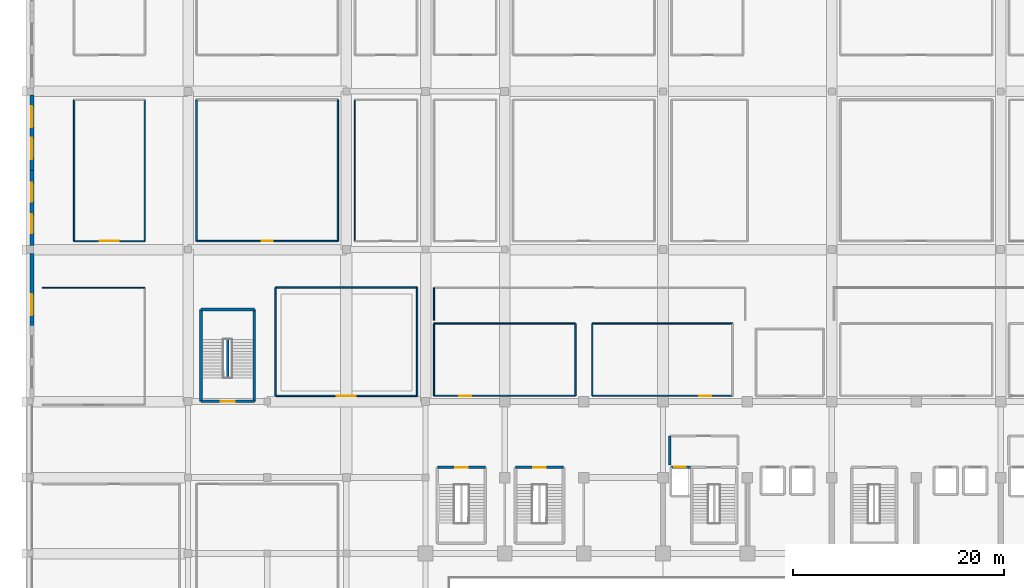
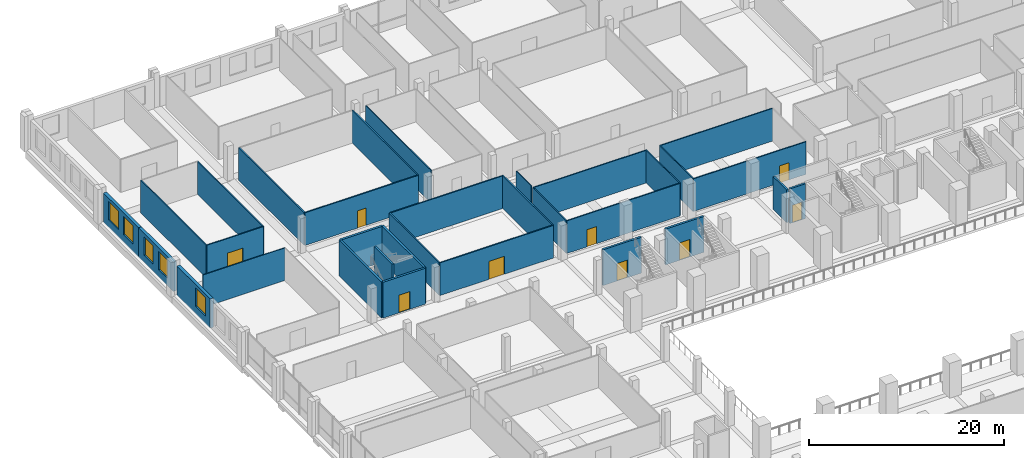
# One storey, part 44 of 64: 32 walls, 9 doors, 5 windows, 14 openings.
"""IFC4 building model written with IfcOpenShell, lengths in metres."""

from ifc_helpers import new_model, si_unit, direction, frame, frame_2d, origin, place, context, subcontext, project, spatial, rectangle, extrude, material, layer, layer_set, type_object, element, fill, save


model = new_model("IFC4")

# Units and contexts
model_context = context("Model", 3, precision=1e-05, world=origin(), true_north=direction((0.0, 1.0)))
body_context = subcontext(model_context, "Body", "Model", "MODEL_VIEW")
ifc_project = project(units=[si_unit("LENGTHUNIT", "METRE"), si_unit("AREAUNIT", "SQUARE_METRE"), si_unit("VOLUMEUNIT", "CUBIC_METRE"), si_unit("PLANEANGLEUNIT", "RADIAN"), si_unit("MASSUNIT", "GRAM", prefix="KILO")], contexts=[model_context])

# Site, building, storey
site_placement = place(None, origin())
site = spatial("IfcSite", under=ifc_project, at=site_placement, CompositionType="ELEMENT")
building_placement = place(site_placement, origin())
building = spatial("IfcBuilding", under=site, at=building_placement, Name="Akrevak Sports Hall", CompositionType="ELEMENT")
storey_placement = place(building_placement, frame((0.0, 0.0, 4.60009765625)))
storey = spatial("IfcBuildingStorey", under=building, at=storey_placement, Name="L01", CompositionType="ELEMENT", Elevation=4.60009765625)

# Wall, opening, window
ifc_material_1 = material(Name="Limestone Ashlar", Category="stone")
ifc_layer_1 = layer(ifc_material_1, 0.080078125, Name="Limestone Ashlar")
ifc_material_2 = material(Name="Mineral Wool Thermal Insulation", Category="insulation")
ifc_layer_2 = layer(ifc_material_2, 0.10009765625, Name="Mineral Wool Thermal Insulation")
ifc_material_3 = material(Name="Concrete C40/50", Category="concrete")
ifc_layer_3 = layer(ifc_material_3, 0.199951171875, Name="Concrete C40/50")
ifc_layer_set_1 = layer_set([ifc_layer_1, ifc_layer_2, ifc_layer_3], Name="Limestone Ashlar / Mineral Wool Thermal Insulation / Concrete C40/50")
wall_type_1 = type_object("IfcWallType", Name="ARC-WL-EXT-380", PredefinedType="SOLIDWALL", material=ifc_layer_set_1)
wall_1_placement = place(storey_placement, frame((0.18994140625, 83.625, 0.0), z_axis=(0.0, 0.0, 1.0), x_axis=(0.0, -1.0, 0.0)))
wall_1 = element("IfcWall", 1, at=wall_1_placement, inside=storey, type_object=wall_type_1, Name="Exterior Limestone Wall L01-W10", PredefinedType="SOLIDWALL", context=body_context, shape_type="SweptSolid", body=[
    extrude(rectangle(XDim=6.824951171875, YDim=0.3798828125, at=frame_2d((3.41259765625, 0.0))), origin(), (0.0, 0.0, 1.0), 3.64990234375),
])
opening_1_placement = place(wall_1_placement, frame((3.845703125, 0.0, 0.919921875)))
opening_1 = element("IfcOpeningElement", 2, at=opening_1_placement, cuts=wall_1, Name="Opening WN-29", PredefinedType="OPENING", context=body_context, shape_type="SweptSolid", body=[
    extrude(rectangle(XDim=2.0, YDim=2.300048828125, at=frame_2d((1.0, 1.14990234375))), frame((0.0, 0.201904296875, 0.0), z_axis=(0.0, -1.0, 0.0), x_axis=(1.0, 0.0, 0.0)), (0.0, 0.0, 1.0), 0.40380859375),
])
ifc_material_4 = material(Name="Thermally Broken Bronze Frame & Double Low-E Glass", Category="glass")
window_type_1 = type_object("IfcWindowType", Name="ARC-WIN-SZ-2000x2300", PartitioningType="SINGLE_PANEL", PredefinedType="WINDOW", material=ifc_material_4)
window_1_placement = place(opening_1_placement, origin())
window_1 = element("IfcWindow", 3, at=window_1_placement, inside=storey, type_object=window_type_1, Name="Beaux-Arts Facade Window WIN-L01-W10-1", OverallHeight=2.300048828125, OverallWidth=2.0, PartitioningType="SINGLE_PANEL", PredefinedType="WINDOW", context=body_context, shape_type="SweptSolid", body=[
    extrude(rectangle(XDim=2.0, YDim=2.300048828125, at=frame_2d((1.0, 1.14990234375))), frame((0.0, 0.030029296875, 0.0), z_axis=(0.0, -1.0, 0.0), x_axis=(1.0, 0.0, 0.0)), (0.0, 0.0, 1.0), 0.06005859375),
])
fill(opening_1, window_1)

# Wall, openings, windows
wall_2_placement = place(storey_placement, frame((0.18994140625, 91.5, 0.0), z_axis=(0.0, 0.0, 1.0), x_axis=(0.0, -1.0, 0.0)))
wall_2 = element("IfcWall", 4, at=wall_2_placement, inside=storey, type_object=wall_type_1, Name="Exterior Limestone Wall L01-W11", PredefinedType="SOLIDWALL", context=body_context, shape_type="SweptSolid", body=[
    extrude(rectangle(XDim=7.125, YDim=0.3798828125, at=frame_2d((3.5625, 0.0))), origin(), (0.0, 0.0, 1.0), 3.64990234375),
])
opening_2_placement = place(wall_2_placement, frame((4.15869140625, 0.0, 0.919921875)))
opening_2 = element("IfcOpeningElement", 5, at=opening_2_placement, cuts=wall_2, Name="Opening WN-31", PredefinedType="OPENING", context=body_context, shape_type="SweptSolid", body=[
    extrude(rectangle(XDim=1.800048828125, YDim=2.300048828125, at=frame_2d((0.89990234375, 1.14990234375))), frame((0.0, 0.201904296875, 0.0), z_axis=(0.0, -1.0, 0.0), x_axis=(1.0, 0.0, 0.0)), (0.0, 0.0, 1.0), 0.40380859375),
])
opening_3_placement = place(wall_2_placement, frame((1.166259765625, 0.0, 0.919921875)))
opening_3 = element("IfcOpeningElement", 6, at=opening_3_placement, cuts=wall_2, Name="Opening WN-31", PredefinedType="OPENING", context=body_context, shape_type="SweptSolid", body=[
    extrude(rectangle(XDim=1.800048828125, YDim=2.300048828125, at=frame_2d((0.89990234375, 1.14990234375))), frame((0.0, 0.201904296875, 0.0), z_axis=(0.0, -1.0, 0.0), x_axis=(1.0, 0.0, 0.0)), (0.0, 0.0, 1.0), 0.40380859375),
])
window_type_2 = type_object("IfcWindowType", Name="ARC-WIN-SZ-1800x2300", PartitioningType="SINGLE_PANEL", PredefinedType="WINDOW", material=ifc_material_4)
window_2_placement = place(opening_2_placement, origin())
window_2 = element("IfcWindow", 7, at=window_2_placement, inside=storey, type_object=window_type_2, Name="Beaux-Arts Facade Window WIN-L01-W11-1", OverallHeight=2.300048828125, OverallWidth=1.800048828125, PartitioningType="SINGLE_PANEL", PredefinedType="WINDOW", context=body_context, shape_type="SweptSolid", body=[
    extrude(rectangle(XDim=1.800048828125, YDim=2.300048828125, at=frame_2d((0.89990234375, 1.14990234375))), frame((0.0, 0.030029296875, 0.0), z_axis=(0.0, -1.0, 0.0), x_axis=(1.0, 0.0, 0.0)), (0.0, 0.0, 1.0), 0.06005859375),
])
fill(opening_2, window_2)
window_3_placement = place(opening_3_placement, origin())
window_3 = element("IfcWindow", 8, at=window_3_placement, inside=storey, type_object=window_type_2, Name="Beaux-Arts Facade Window WIN-L01-W11-2", OverallHeight=2.300048828125, OverallWidth=1.800048828125, PartitioningType="SINGLE_PANEL", PredefinedType="WINDOW", context=body_context, shape_type="SweptSolid", body=[
    extrude(rectangle(XDim=1.800048828125, YDim=2.300048828125, at=frame_2d((0.89990234375, 1.14990234375))), frame((0.0, 0.030029296875, 0.0), z_axis=(0.0, -1.0, 0.0), x_axis=(1.0, 0.0, 0.0)), (0.0, 0.0, 1.0), 0.06005859375),
])
fill(opening_3, window_3)

wall_3_placement = place(storey_placement, frame((0.18994140625, 98.675048828125, 0.0), z_axis=(0.0, 0.0, 1.0), x_axis=(0.0, -1.0, 0.0)))
wall_3 = element("IfcWall", 9, at=wall_3_placement, inside=storey, type_object=wall_type_1, Name="Exterior Limestone Wall L01-W12", PredefinedType="SOLIDWALL", context=body_context, shape_type="SweptSolid", body=[
    extrude(rectangle(XDim=7.175048828125, YDim=0.3798828125, at=frame_2d((3.58740234375, 0.0))), origin(), (0.0, 0.0, 1.0), 3.64990234375),
])
opening_4_placement = place(wall_3_placement, frame((4.09423828125, 0.0, 0.919921875)))
opening_4 = element("IfcOpeningElement", 10, at=opening_4_placement, cuts=wall_3, Name="Opening WN-29", PredefinedType="OPENING", context=body_context, shape_type="SweptSolid", body=[
    extrude(rectangle(XDim=2.0, YDim=2.300048828125, at=frame_2d((1.0, 1.14990234375))), frame((0.0, 0.201904296875, 0.0), z_axis=(0.0, -1.0, 0.0), x_axis=(1.0, 0.0, 0.0)), (0.0, 0.0, 1.0), 0.40380859375),
])
opening_5_placement = place(wall_3_placement, frame((1.080810546875, 0.0, 0.919921875)))
opening_5 = element("IfcOpeningElement", 11, at=opening_5_placement, cuts=wall_3, Name="Opening WN-29", PredefinedType="OPENING", context=body_context, shape_type="SweptSolid", body=[
    extrude(rectangle(XDim=2.0, YDim=2.300048828125, at=frame_2d((1.0, 1.14990234375))), frame((0.0, 0.201904296875, 0.0), z_axis=(0.0, -1.0, 0.0), x_axis=(1.0, 0.0, 0.0)), (0.0, 0.0, 1.0), 0.40380859375),
])
window_4_placement = place(opening_4_placement, origin())
window_4 = element("IfcWindow", 12, at=window_4_placement, inside=storey, type_object=window_type_1, Name="Beaux-Arts Facade Window WIN-L01-W12-1", OverallHeight=2.300048828125, OverallWidth=2.0, PartitioningType="SINGLE_PANEL", PredefinedType="WINDOW", context=body_context, shape_type="SweptSolid", body=[
    extrude(rectangle(XDim=2.0, YDim=2.300048828125, at=frame_2d((1.0, 1.14990234375))), frame((0.0, 0.030029296875, 0.0), z_axis=(0.0, -1.0, 0.0), x_axis=(1.0, 0.0, 0.0)), (0.0, 0.0, 1.0), 0.06005859375),
])
fill(opening_4, window_4)
window_5_placement = place(opening_5_placement, origin())
window_5 = element("IfcWindow", 13, at=window_5_placement, inside=storey, type_object=window_type_1, Name="Beaux-Arts Facade Window WIN-L01-W12-2", OverallHeight=2.300048828125, OverallWidth=2.0, PartitioningType="SINGLE_PANEL", PredefinedType="WINDOW", context=body_context, shape_type="SweptSolid", body=[
    extrude(rectangle(XDim=2.0, YDim=2.300048828125, at=frame_2d((1.0, 1.14990234375))), frame((0.0, 0.030029296875, 0.0), z_axis=(0.0, -1.0, 0.0), x_axis=(1.0, 0.0, 0.0)), (0.0, 0.0, 1.0), 0.06005859375),
])
fill(opening_5, window_5)

# Walls
ifc_material_5 = material(Name="Sanitary Cubicle Partition", Category="gypsum")
ifc_layer_4 = layer(ifc_material_5, 0.10009765625, Name="Sanitary Cubicle Partition")
ifc_layer_set_2 = layer_set([ifc_layer_4], Name="Sanitary Cubicle Partition")
wall_type_2 = type_object("IfcWallType", Name="ARC-WL-PRT-100", PredefinedType="PARTITIONING", material=ifc_layer_set_2)
wall_4_placement = place(storey_placement, frame((30.800048828125, 84.800048828125, 0.0), z_axis=(0.0, 0.0, 1.0), x_axis=(0.0, 1.0, 0.0)))
element("IfcWall", 14, at=wall_4_placement, inside=storey, type_object=wall_type_2, Name="Interior Partition Sports Clinic Recovery & Physiotherapy Room L01-3 (W)", PredefinedType="PARTITIONING", context=body_context, shape_type="SweptSolid", body=[
    extrude(rectangle(XDim=13.39990234375, YDim=0.10009765625, at=frame_2d((6.699951171875, 0.0))), origin(), (0.0, 0.0, 1.0), 4.079833984375),
])
wall_5_placement = place(storey_placement, frame((1.199951171875, 80.39990234375, 0.0), z_axis=(0.0, 0.0, 1.0), x_axis=(1.0, 0.0, 0.0)))
element("IfcWall", 15, at=wall_5_placement, inside=storey, type_object=wall_type_2, Name="Interior Partition North-West Team Kit Storage L01 (N)", PredefinedType="PARTITIONING", context=body_context, shape_type="SweptSolid", body=[
    extrude(rectangle(XDim=9.699951171875, YDim=0.10009765625, at=frame_2d((4.85009765625, 0.0))), origin(), (0.0, 0.0, 1.0), 4.079833984375),
])
wall_6_placement = place(storey_placement, frame((38.300048828125, 77.300048828125, 0.0), z_axis=(0.0, 0.0, 1.0), x_axis=(0.0, 1.0, 0.0)))
element("IfcWall", 16, at=wall_6_placement, inside=storey, type_object=wall_type_2, Name="Interior Partition North Concourse Equipment Storage L01 (W)", PredefinedType="PARTITIONING", context=body_context, shape_type="SweptSolid", body=[
    extrude(rectangle(XDim=3.099853515625, YDim=0.10009765625, at=frame_2d((1.5498046875, 0.0))), origin(), (0.0, 0.0, 1.0), 4.079833984375),
])

# Wall, opening, door
ifc_material_6 = material(Name="Acoustic Metal Stud Partition", Category="gypsum")
ifc_layer_5 = layer(ifc_material_6, 0.1298828125, Name="Acoustic Metal Stud Partition")
ifc_layer_set_3 = layer_set([ifc_layer_5], Name="Acoustic Metal Stud Partition")
wall_type_3 = type_object("IfcWallType", Name="ARC-WL-PRT-130", PredefinedType="PARTITIONING", material=ifc_layer_set_3)
wall_7_placement = place(storey_placement, frame((53.300048828125, 70.14990234375, 0.0), z_axis=(0.0, 0.0, 1.0), x_axis=(1.0, 0.0, 0.0)))
wall_7 = element("IfcWall", 17, at=wall_7_placement, inside=storey, type_object=wall_type_3, Name="Interior Partition Changing Room 7 - Fitness Men (S)", PredefinedType="PARTITIONING", context=body_context, shape_type="SweptSolid", body=[
    extrude(rectangle(XDim=13.300048828125, YDim=0.1298828125, at=frame_2d((6.64990234375, 0.0))), origin(), (0.0, 0.0, 1.0), 4.079833984375),
])
opening_6_placement = place(wall_7_placement, frame((10.125, 0.0, 0.0)))
opening_6 = element("IfcOpeningElement", 18, at=opening_6_placement, cuts=wall_7, Name="Opening ID-07", PredefinedType="OPENING", context=body_context, shape_type="SweptSolid", body=[
    extrude(rectangle(XDim=1.14990234375, YDim=2.14990234375, at=frame_2d((0.574951171875, 1.074951171875))), frame((0.0, 0.076904296875, 0.0), z_axis=(0.0, -1.0, 0.0), x_axis=(1.0, 0.0, 0.0)), (0.0, 0.0, 1.0), 0.15380859375),
])
ifc_material_7 = material(Name="High-Pressure Laminate & Aluminium", Category="aluminium")
door_type_1 = type_object("IfcDoorType", Name="ARC-DR-CHG-115x215", OperationType="NOTDEFINED", PredefinedType="DOOR", material=ifc_material_7)
door_1_placement = place(opening_6_placement, origin())
door_1 = element("IfcDoor", 19, at=door_1_placement, inside=storey, type_object=door_type_1, Name="Door to Changing Room 7 - Fitness Men", OperationType="SINGLE_SWING_LEFT", OverallHeight=2.14990234375, OverallWidth=1.14990234375, PredefinedType="DOOR", context=body_context, shape_type="SweptSolid", body=[
    extrude(rectangle(XDim=1.14990234375, YDim=2.14990234375, at=frame_2d((0.574951171875, 1.074951171875))), frame((0.0, 0.02490234375, 0.0), z_axis=(0.0, -1.0, 0.0), x_axis=(1.0, 0.0, 0.0)), (0.0, 0.0, 1.0), 0.050048828125),
])
fill(opening_6, door_1)

# Walls
wall_8_placement = place(storey_placement, frame((53.300048828125, 77.0, 0.0), z_axis=(0.0, 0.0, 1.0), x_axis=(1.0, 0.0, 0.0)))
element("IfcWall", 20, at=wall_8_placement, inside=storey, type_object=wall_type_3, Name="Interior Partition Changing Room 7 - Fitness Men (N)", PredefinedType="PARTITIONING", context=body_context, shape_type="SweptSolid", body=[
    extrude(rectangle(XDim=13.300048828125, YDim=0.1298828125, at=frame_2d((6.64990234375, 0.0))), origin(), (0.0, 0.0, 1.0), 4.079833984375),
])
wall_9_placement = place(storey_placement, frame((53.300048828125, 70.14990234375, 0.0), z_axis=(0.0, 0.0, 1.0), x_axis=(0.0, 1.0, 0.0)))
element("IfcWall", 21, at=wall_9_placement, inside=storey, type_object=wall_type_3, Name="Interior Partition Changing Room 7 - Fitness Men (W)", PredefinedType="PARTITIONING", context=body_context, shape_type="SweptSolid", body=[
    extrude(rectangle(XDim=6.85009765625, YDim=0.1298828125, at=frame_2d((3.425048828125, 0.0))), origin(), (0.0, 0.0, 1.0), 4.079833984375),
])

# Wall, opening, door
wall_10_placement = place(storey_placement, frame((4.199951171875, 84.800048828125, 0.0), z_axis=(0.0, 0.0, 1.0), x_axis=(1.0, 0.0, 0.0)))
wall_10 = element("IfcWall", 22, at=wall_10_placement, inside=storey, type_object=wall_type_3, Name="Interior Partition Athletic Gear & Equipment Storage L01-1 (S)", PredefinedType="PARTITIONING", context=body_context, shape_type="SweptSolid", body=[
    extrude(rectangle(XDim=6.699951171875, YDim=0.1298828125, at=frame_2d((3.35009765625, 0.0))), origin(), (0.0, 0.0, 1.0), 4.079833984375),
])
opening_7_placement = place(wall_10_placement, frame((2.449951171875, 0.0, 0.0)))
opening_7 = element("IfcOpeningElement", 23, at=opening_7_placement, cuts=wall_10, Name="Opening ID-02", PredefinedType="OPENING", context=body_context, shape_type="SweptSolid", body=[
    extrude(rectangle(XDim=1.800048828125, YDim=2.25, at=frame_2d((0.89990234375, 1.125))), frame((0.0, 0.076904296875, 0.0), z_axis=(0.0, -1.0, 0.0), x_axis=(1.0, 0.0, 0.0)), (0.0, 0.0, 1.0), 0.15380859375),
])
ifc_material_8 = material(Name="Hardwood Oak & Safety Glass", Category="wood")
door_type_2 = type_object("IfcDoorType", Name="ARC-DR-HALL-180x225", OperationType="DOUBLE_DOOR_SINGLE_SWING", PredefinedType="DOOR", material=ifc_material_8)
door_2_placement = place(opening_7_placement, origin())
door_2 = element("IfcDoor", 24, at=door_2_placement, inside=storey, type_object=door_type_2, Name="Door to Athletic Gear & Equipment Storage L01-1", OperationType="DOUBLE_DOOR_SINGLE_SWING", OverallHeight=2.25, OverallWidth=1.800048828125, PredefinedType="DOOR", context=body_context, shape_type="SweptSolid", body=[
    extrude(rectangle(XDim=1.800048828125, YDim=2.25, at=frame_2d((0.89990234375, 1.125))), frame((0.0, 0.02490234375, 0.0), z_axis=(0.0, -1.0, 0.0), x_axis=(1.0, 0.0, 0.0)), (0.0, 0.0, 1.0), 0.050048828125),
])
fill(opening_7, door_2)

# Walls
for number, where, z_axis, x_axis, name in (
    (25, (4.199951171875, 84.800048828125, 0.0), (0.0, 0.0, 1.0), (0.0, 1.0, 0.0), "Interior Partition Athletic Gear & Equipment Storage L01-1 (W)"),
    (26, (10.89990234375, 84.800048828125, 0.0), (0.0, 0.0, 1.0), (0.0, 1.0, 0.0), "Interior Partition Athletic Gear & Equipment Storage L01-1 (E)"),
):
    element("IfcWall", number, at=place(storey_placement, frame(where, z_axis=z_axis, x_axis=x_axis)), inside=storey, type_object=wall_type_3, Name=name, PredefinedType="PARTITIONING", context=body_context, shape_type="SweptSolid", body=[
        extrude(rectangle(XDim=13.39990234375, YDim=0.1298828125, at=frame_2d((6.699951171875, 0.0))), origin(), (0.0, 0.0, 1.0), 4.079833984375),
    ])

# Wall, opening, door
wall_11_placement = place(storey_placement, frame((38.300048828125, 70.14990234375, 0.0), z_axis=(0.0, 0.0, 1.0), x_axis=(1.0, 0.0, 0.0)))
wall_11 = element("IfcWall", 27, at=wall_11_placement, inside=storey, type_object=wall_type_3, Name="Interior Partition Changing Room 7B - Visiting Fitness Club (S)", PredefinedType="PARTITIONING", context=body_context, shape_type="SweptSolid", body=[
    extrude(rectangle(XDim=13.39990234375, YDim=0.1298828125, at=frame_2d((6.699951171875, 0.0))), origin(), (0.0, 0.0, 1.0), 4.079833984375),
])
opening_8_placement = place(wall_11_placement, frame((2.375, 0.0, 0.0)))
opening_8 = element("IfcOpeningElement", 28, at=opening_8_placement, cuts=wall_11, Name="Opening ID-07", PredefinedType="OPENING", context=body_context, shape_type="SweptSolid", body=[
    extrude(rectangle(XDim=1.14990234375, YDim=2.14990234375, at=frame_2d((0.574951171875, 1.074951171875))), frame((0.0, 0.076904296875, 0.0), z_axis=(0.0, -1.0, 0.0), x_axis=(1.0, 0.0, 0.0)), (0.0, 0.0, 1.0), 0.15380859375),
])
door_3_placement = place(opening_8_placement, origin())
door_3 = element("IfcDoor", 29, at=door_3_placement, inside=storey, type_object=door_type_1, Name="Door to Changing Room 7B - Visiting Fitness Club", OperationType="SINGLE_SWING_LEFT", OverallHeight=2.14990234375, OverallWidth=1.14990234375, PredefinedType="DOOR", context=body_context, shape_type="SweptSolid", body=[
    extrude(rectangle(XDim=1.14990234375, YDim=2.14990234375, at=frame_2d((0.574951171875, 1.074951171875))), frame((0.0, 0.02490234375, 0.0), z_axis=(0.0, -1.0, 0.0), x_axis=(1.0, 0.0, 0.0)), (0.0, 0.0, 1.0), 0.050048828125),
])
fill(opening_8, door_3)

# Walls
wall_12_placement = place(storey_placement, frame((38.300048828125, 77.0, 0.0), z_axis=(0.0, 0.0, 1.0), x_axis=(1.0, 0.0, 0.0)))
element("IfcWall", 30, at=wall_12_placement, inside=storey, type_object=wall_type_3, Name="Interior Partition Changing Room 7B - Visiting Fitness Club (N)", PredefinedType="PARTITIONING", context=body_context, shape_type="SweptSolid", body=[
    extrude(rectangle(XDim=13.39990234375, YDim=0.1298828125, at=frame_2d((6.699951171875, 0.0))), origin(), (0.0, 0.0, 1.0), 4.079833984375),
])
for number, where, z_axis, x_axis, name in (
    (31, (38.300048828125, 70.14990234375, 0.0), (0.0, 0.0, 1.0), (0.0, 1.0, 0.0), "Interior Partition Changing Room 7B - Visiting Fitness Club (W)"),
    (32, (51.699951171875, 70.14990234375, 0.0), (0.0, 0.0, 1.0), (0.0, 1.0, 0.0), "Interior Partition Changing Room 7B - Visiting Fitness Club (E)"),
):
    element("IfcWall", number, at=place(storey_placement, frame(where, z_axis=z_axis, x_axis=x_axis)), inside=storey, type_object=wall_type_3, Name=name, PredefinedType="PARTITIONING", context=body_context, shape_type="SweptSolid", body=[
        extrude(rectangle(XDim=6.85009765625, YDim=0.1298828125, at=frame_2d((3.425048828125, 0.0))), origin(), (0.0, 0.0, 1.0), 4.079833984375),
    ])

# Wall, opening, door
ifc_material_9 = material(Name="Double Stud Acoustic Gypsum Partition", Category="gypsum")
ifc_layer_6 = layer(ifc_material_9, 0.14990234375, Name="Double Stud Acoustic Gypsum Partition")
ifc_layer_set_4 = layer_set([ifc_layer_6], Name="Double Stud Acoustic Gypsum Partition")
wall_type_4 = type_object("IfcWallType", Name="ARC-WL-PRT-150", PredefinedType="PARTITIONING", material=ifc_layer_set_4)
wall_13_placement = place(storey_placement, frame((23.300048828125, 70.14990234375, 0.0), z_axis=(0.0, 0.0, 1.0), x_axis=(1.0, 0.0, 0.0)))
wall_13 = element("IfcWall", 33, at=wall_13_placement, inside=storey, type_object=wall_type_4, Name="Interior Partition Dance Studio 1 - Classical & Choreography (S)", PredefinedType="PARTITIONING", context=body_context, shape_type="SweptSolid", body=[
    extrude(rectangle(XDim=13.39990234375, YDim=0.14990234375, at=frame_2d((6.699951171875, 0.0))), origin(), (0.0, 0.0, 1.0), 4.079833984375),
])
opening_9_placement = place(wall_13_placement, frame((5.800048828125, 0.0, 0.0)))
opening_9 = element("IfcOpeningElement", 34, at=opening_9_placement, cuts=wall_13, Name="Opening ID-02", PredefinedType="OPENING", context=body_context, shape_type="SweptSolid", body=[
    extrude(rectangle(XDim=1.800048828125, YDim=2.25, at=frame_2d((0.89990234375, 1.125))), frame((0.0, 0.0869140625, 0.0), z_axis=(0.0, -1.0, 0.0), x_axis=(1.0, 0.0, 0.0)), (0.0, 0.0, 1.0), 0.173828125),
])
door_4_placement = place(opening_9_placement, frame((1.800048828125, 0.0, 0.0), z_axis=(0.0, 0.0, 1.0), x_axis=(-1.0, 0.0, 0.0)))
door_4 = element("IfcDoor", 35, at=door_4_placement, inside=storey, type_object=door_type_2, Name="Door to Dance Studio 1 - Classical & Choreography", OperationType="DOUBLE_DOOR_SINGLE_SWING", OverallHeight=2.25, OverallWidth=1.800048828125, PredefinedType="DOOR", context=body_context, shape_type="SweptSolid", body=[
    extrude(rectangle(XDim=1.800048828125, YDim=2.25, at=frame_2d((0.89990234375, 1.125))), frame((0.0, 0.02490234375, 0.0), z_axis=(0.0, -1.0, 0.0), x_axis=(1.0, 0.0, 0.0)), (0.0, 0.0, 1.0), 0.050048828125),
])
fill(opening_9, door_4)

# Walls
wall_14_placement = place(storey_placement, frame((23.300048828125, 80.39990234375, 0.0), z_axis=(0.0, 0.0, 1.0), x_axis=(1.0, 0.0, 0.0)))
element("IfcWall", 36, at=wall_14_placement, inside=storey, type_object=wall_type_4, Name="Interior Partition Dance Studio 1 - Classical & Choreography (N)", PredefinedType="PARTITIONING", context=body_context, shape_type="SweptSolid", body=[
    extrude(rectangle(XDim=13.39990234375, YDim=0.14990234375, at=frame_2d((6.699951171875, 0.0))), origin(), (0.0, 0.0, 1.0), 4.079833984375),
])
for number, where, z_axis, x_axis, name in (
    (37, (23.300048828125, 70.14990234375, 0.0), (0.0, 0.0, 1.0), (0.0, 1.0, 0.0), "Interior Partition Dance Studio 1 - Classical & Choreography (W)"),
    (38, (36.699951171875, 70.14990234375, 0.0), (0.0, 0.0, 1.0), (0.0, 1.0, 0.0), "Interior Partition Dance Studio 1 - Classical & Choreography (E)"),
):
    element("IfcWall", number, at=place(storey_placement, frame(where, z_axis=z_axis, x_axis=x_axis)), inside=storey, type_object=wall_type_4, Name=name, PredefinedType="PARTITIONING", context=body_context, shape_type="SweptSolid", body=[
        extrude(rectangle(XDim=10.25, YDim=0.14990234375, at=frame_2d((5.125, 0.0))), origin(), (0.0, 0.0, 1.0), 4.079833984375),
    ])

# Wall, opening, door
wall_15_placement = place(storey_placement, frame((15.800048828125, 84.800048828125, 0.0), z_axis=(0.0, 0.0, 1.0), x_axis=(1.0, 0.0, 0.0)))
wall_15 = element("IfcWall", 39, at=wall_15_placement, inside=storey, type_object=wall_type_4, Name="Interior Partition Sports Federation Training Office L01-2 (S)", PredefinedType="PARTITIONING", context=body_context, shape_type="SweptSolid", body=[
    extrude(rectangle(XDim=13.39990234375, YDim=0.14990234375, at=frame_2d((6.699951171875, 0.0))), origin(), (0.0, 0.0, 1.0), 4.079833984375),
])
opening_10_placement = place(wall_15_placement, frame((6.199951171875, 0.0, 0.0)))
opening_10 = element("IfcOpeningElement", 40, at=opening_10_placement, cuts=wall_15, Name="Opening ID-06", PredefinedType="OPENING", context=body_context, shape_type="SweptSolid", body=[
    extrude(rectangle(XDim=1.0, YDim=2.14990234375, at=frame_2d((0.5, 1.074951171875))), frame((0.0, 0.0869140625, 0.0), z_axis=(0.0, -1.0, 0.0), x_axis=(1.0, 0.0, 0.0)), (0.0, 0.0, 1.0), 0.173828125),
])
ifc_material_10 = material(Name="Hardwood Oak Acoustic Leaf", Category="wood")
door_type_3 = type_object("IfcDoorType", Name="ARC-DR-OFF-100x215", OperationType="NOTDEFINED", PredefinedType="DOOR", material=ifc_material_10)
door_5_placement = place(opening_10_placement, origin())
door_5 = element("IfcDoor", 41, at=door_5_placement, inside=storey, type_object=door_type_3, Name="Door to Sports Federation Training Office L01-2", OperationType="SINGLE_SWING_LEFT", OverallHeight=2.14990234375, OverallWidth=1.0, PredefinedType="DOOR", context=body_context, shape_type="SweptSolid", body=[
    extrude(rectangle(XDim=1.0, YDim=2.14990234375, at=frame_2d((0.5, 1.074951171875))), frame((0.0, 0.02490234375, 0.0), z_axis=(0.0, -1.0, 0.0), x_axis=(1.0, 0.0, 0.0)), (0.0, 0.0, 1.0), 0.050048828125),
])
fill(opening_10, door_5)

# Walls
for number, where, z_axis, x_axis, name in (
    (42, (15.800048828125, 84.800048828125, 0.0), (0.0, 0.0, 1.0), (0.0, 1.0, 0.0), "Interior Partition Sports Federation Training Office L01-2 (W)"),
    (43, (29.199951171875, 84.800048828125, 0.0), (0.0, 0.0, 1.0), (0.0, 1.0, 0.0), "Interior Partition Sports Federation Training Office L01-2 (E)"),
):
    element("IfcWall", number, at=place(storey_placement, frame(where, z_axis=z_axis, x_axis=x_axis)), inside=storey, type_object=wall_type_4, Name=name, PredefinedType="PARTITIONING", context=body_context, shape_type="SweptSolid", body=[
        extrude(rectangle(XDim=13.39990234375, YDim=0.14990234375, at=frame_2d((6.699951171875, 0.0))), origin(), (0.0, 0.0, 1.0), 4.079833984375),
    ])
ifc_layer_7 = layer(ifc_material_3, 0.219970703125, Name="Concrete C40/50")
ifc_layer_set_5 = layer_set([ifc_layer_7], Name="Concrete C40/50")
wall_type_5 = type_object("IfcWallType", Name="ARC-WL-PRT-220", PredefinedType="PARTITIONING", material=ifc_layer_set_5)
wall_16_placement = place(storey_placement, frame((18.75, 71.85009765625, 0.0), z_axis=(0.0, 0.0, 1.0), x_axis=(0.0, 1.0, 0.0)))
element("IfcWall", 44, at=wall_16_placement, inside=storey, type_object=wall_type_5, Name="Stair ST6 Central Spine Wall (L01)", PredefinedType="PARTITIONING", context=body_context, shape_type="SweptSolid", body=[
    extrude(rectangle(XDim=3.639892578125, YDim=0.219970703125, at=frame_2d((1.81982421875, 0.0))), origin(), (0.0, 0.0, 1.0), 4.47998046875),
])
wall_17_placement = place(storey_placement, frame((60.64990234375, 63.60009765625, 0.0), z_axis=(0.0, 0.0, 1.0), x_axis=(0.0, 1.0, 0.0)))
element("IfcWall", 45, at=wall_17_placement, inside=storey, type_object=wall_type_5, Name="Interior Partition Firefighting Lobby West L01 (W)", PredefinedType="PARTITIONING", context=body_context, shape_type="SweptSolid", body=[
    extrude(rectangle(XDim=2.75, YDim=0.219970703125, at=frame_2d((1.375, 0.0))), origin(), (0.0, 0.0, 1.0), 4.079833984375),
])

# Wall, opening, door
ifc_material_11 = material(Name="Concrete C50/60", Category="concrete")
ifc_layer_8 = layer(ifc_material_11, 0.219970703125, Name="Concrete C50/60")
ifc_layer_set_6 = layer_set([ifc_layer_8], Name="Concrete C50/60")
wall_type_6 = type_object("IfcWallType", Name="ARC-WL-SHAFT-220", PredefinedType="SHEAR", material=ifc_layer_set_6)
wall_18_placement = place(storey_placement, frame((62.60009765625, 63.389892578125, 0.0), z_axis=(0.0, 0.0, 1.0), x_axis=(-1.0, 0.0, 0.0)))
wall_18 = element("IfcWall", 46, at=wall_18_placement, inside=storey, type_object=wall_type_6, Name="Lift Shaft LF-FF1 Wall N (L01)", PredefinedType="SHEAR", context=body_context, shape_type="SweptSolid", body=[
    extrude(rectangle(XDim=1.840087890625, YDim=0.219970703125, at=frame_2d((0.919921875, 0.0))), origin(), (0.0, 0.0, 1.0), 4.349853515625),
])
opening_11_placement = place(wall_18_placement, frame((0.425048828125, 0.0, 0.0)))
opening_11 = element("IfcOpeningElement", 47, at=opening_11_placement, cuts=wall_18, Name="Opening LD-01", PredefinedType="OPENING", context=body_context, shape_type="SweptSolid", body=[
    extrude(rectangle(XDim=1.10009765625, YDim=2.199951171875, at=frame_2d((0.550048828125, 1.10009765625))), frame((0.0, 0.1220703125, 0.0), z_axis=(0.0, -1.0, 0.0), x_axis=(1.0, 0.0, 0.0)), (0.0, 0.0, 1.0), 0.243896484375),
])
ifc_material_12 = material(Name="Brushed Stainless Steel 304", Category="steel")
door_type_4 = type_object("IfcDoorType", Name="ARC-DR-LD-110x220", OperationType="SLIDING_TO_LEFT", PredefinedType="DOOR", material=ifc_material_12)
door_6_placement = place(opening_11_placement, origin())
door_6 = element("IfcDoor", 48, at=door_6_placement, inside=storey, type_object=door_type_4, Name="Lift LF-FF1 Sliding Landing Door (L01)", OperationType="SLIDING_TO_RIGHT", OverallHeight=2.199951171875, OverallWidth=1.10009765625, PredefinedType="DOOR", context=body_context, shape_type="SweptSolid", body=[
    extrude(rectangle(XDim=1.10009765625, YDim=2.199951171875, at=frame_2d((0.550048828125, 1.10009765625))), frame((0.0, 0.02490234375, 0.0), z_axis=(0.0, -1.0, 0.0), x_axis=(1.0, 0.0, 0.0)), (0.0, 0.0, 1.0), 0.050048828125),
])
fill(opening_11, door_6)

ifc_layer_9 = layer(ifc_material_11, 0.25, Name="Concrete C50/60")
ifc_layer_set_7 = layer_set([ifc_layer_9], Name="Concrete C50/60")
wall_type_7 = type_object("IfcWallType", Name="STR-WL-STAIR-250", PredefinedType="SHEAR", material=ifc_layer_set_7)
wall_19_placement = place(storey_placement, frame((50.574951171875, 63.375, 0.0), z_axis=(0.0, 0.0, 1.0), x_axis=(-1.0, 0.0, 0.0)))
wall_19 = element("IfcWall", 49, at=wall_19_placement, inside=storey, type_object=wall_type_7, Name="Stair Core ST4 Shear Wall N (L01)", PredefinedType="SHEAR", context=body_context, shape_type="SweptSolid", body=[
    extrude(rectangle(XDim=4.550048828125, YDim=0.25, at=frame_2d((2.27490234375, 0.0))), origin(), (0.0, 0.0, 1.0), 4.47998046875),
])
opening_12_placement = place(wall_19_placement, frame((1.675048828125, 0.0, 0.0)))
opening_12 = element("IfcOpeningElement", 50, at=opening_12_placement, cuts=wall_19, Name="Opening SD-02", PredefinedType="OPENING", context=body_context, shape_type="SweptSolid", body=[
    extrude(rectangle(XDim=1.199951171875, YDim=2.199951171875, at=frame_2d((0.60009765625, 1.10009765625))), frame((0.0, 0.136962890625, 0.0), z_axis=(0.0, -1.0, 0.0), x_axis=(1.0, 0.0, 0.0)), (0.0, 0.0, 1.0), 0.27392578125),
])
ifc_material_13 = material(Name="Fire-Rated Galvanized Door Steel", Category="steel")
door_type_5 = type_object("IfcDoorType", Name="ARC-DR-STAIR-120x220", OperationType="NOTDEFINED", PredefinedType="DOOR", material=ifc_material_13)
door_7_placement = place(opening_12_placement, origin())
door_7 = element("IfcDoor", 51, at=door_7_placement, inside=storey, type_object=door_type_5, Name="Exit Stair ST4 Door (L01)", OperationType="SINGLE_SWING_RIGHT", OverallHeight=2.199951171875, OverallWidth=1.199951171875, PredefinedType="DOOR", context=body_context, shape_type="SweptSolid", body=[
    extrude(rectangle(XDim=1.199951171875, YDim=2.199951171875, at=frame_2d((0.60009765625, 1.10009765625))), frame((0.0, 0.02490234375, 0.0), z_axis=(0.0, -1.0, 0.0), x_axis=(1.0, 0.0, 0.0)), (0.0, 0.0, 1.0), 0.050048828125),
])
fill(opening_12, door_7)

wall_20_placement = place(storey_placement, frame((16.22509765625, 69.625, 0.0), z_axis=(0.0, 0.0, 1.0), x_axis=(1.0, 0.0, 0.0)))
wall_20 = element("IfcWall", 52, at=wall_20_placement, inside=storey, type_object=wall_type_7, Name="Stair Core ST6 Shear Wall S (L01)", PredefinedType="SHEAR", context=body_context, shape_type="SweptSolid", body=[
    extrude(rectangle(XDim=5.0498046875, YDim=0.25, at=frame_2d((2.52490234375, 0.0))), origin(), (0.0, 0.0, 1.0), 4.47998046875),
])
opening_13_placement = place(wall_20_placement, frame((1.875, 0.0, 0.0)))
opening_13 = element("IfcOpeningElement", 53, at=opening_13_placement, cuts=wall_20, Name="Opening SD-01", PredefinedType="OPENING", context=body_context, shape_type="SweptSolid", body=[
    extrude(rectangle(XDim=1.300048828125, YDim=2.199951171875, at=frame_2d((0.64990234375, 1.10009765625))), frame((0.0, 0.136962890625, 0.0), z_axis=(0.0, -1.0, 0.0), x_axis=(1.0, 0.0, 0.0)), (0.0, 0.0, 1.0), 0.27392578125),
])
door_type_6 = type_object("IfcDoorType", Name="ARC-DR-STAIR-130x220", OperationType="NOTDEFINED", PredefinedType="DOOR", material=ifc_material_13)
door_8_placement = place(opening_13_placement, origin())
door_8 = element("IfcDoor", 54, at=door_8_placement, inside=storey, type_object=door_type_6, Name="Exit Stair ST6 Door (L01)", OperationType="SINGLE_SWING_RIGHT", OverallHeight=2.199951171875, OverallWidth=1.300048828125, PredefinedType="DOOR", context=body_context, shape_type="SweptSolid", body=[
    extrude(rectangle(XDim=1.300048828125, YDim=2.199951171875, at=frame_2d((0.64990234375, 1.10009765625))), frame((0.0, 0.02490234375, 0.0), z_axis=(0.0, -1.0, 0.0), x_axis=(1.0, 0.0, 0.0)), (0.0, 0.0, 1.0), 0.050048828125),
])
fill(opening_13, door_8)

# Walls
wall_21_placement = place(storey_placement, frame((21.27490234375, 78.324951171875, 0.0), z_axis=(0.0, 0.0, 1.0), x_axis=(-1.0, 0.0, 0.0)))
element("IfcWall", 55, at=wall_21_placement, inside=storey, type_object=wall_type_7, Name="Stair Core ST6 Shear Wall N (L01)", PredefinedType="SHEAR", context=body_context, shape_type="SweptSolid", body=[
    extrude(rectangle(XDim=5.0498046875, YDim=0.25, at=frame_2d((2.52490234375, 0.0))), origin(), (0.0, 0.0, 1.0), 4.47998046875),
])
for number, where, z_axis, x_axis, name in (
    (56, (16.22509765625, 78.324951171875, 0.0), (0.0, 0.0, 1.0), (0.0, -1.0, 0.0), "Stair Core ST6 Shear Wall W (L01)"),
    (57, (21.27490234375, 69.625, 0.0), (0.0, 0.0, 1.0), (0.0, 1.0, 0.0), "Stair Core ST6 Shear Wall E (L01)"),
):
    element("IfcWall", number, at=place(storey_placement, frame(where, z_axis=z_axis, x_axis=x_axis)), inside=storey, type_object=wall_type_7, Name=name, PredefinedType="SHEAR", context=body_context, shape_type="SweptSolid", body=[
        extrude(rectangle(XDim=8.699951171875, YDim=0.25, at=frame_2d((4.35009765625, 0.0))), origin(), (0.0, 0.0, 1.0), 4.47998046875),
    ])

# Wall, opening, door
wall_22_placement = place(storey_placement, frame((43.175048828125, 63.375, 0.0), z_axis=(0.0, 0.0, 1.0), x_axis=(-1.0, 0.0, 0.0)))
wall_22 = element("IfcWall", 58, at=wall_22_placement, inside=storey, type_object=wall_type_7, Name="Stair Core ST9 Shear Wall N (L01)", PredefinedType="SHEAR", context=body_context, shape_type="SweptSolid", body=[
    extrude(rectangle(XDim=4.550048828125, YDim=0.25, at=frame_2d((2.27490234375, 0.0))), origin(), (0.0, 0.0, 1.0), 4.47998046875),
])
opening_14_placement = place(wall_22_placement, frame((1.675048828125, 0.0, 0.0)))
opening_14 = element("IfcOpeningElement", 59, at=opening_14_placement, cuts=wall_22, Name="Opening SD-02", PredefinedType="OPENING", context=body_context, shape_type="SweptSolid", body=[
    extrude(rectangle(XDim=1.199951171875, YDim=2.199951171875, at=frame_2d((0.60009765625, 1.10009765625))), frame((0.0, 0.136962890625, 0.0), z_axis=(0.0, -1.0, 0.0), x_axis=(1.0, 0.0, 0.0)), (0.0, 0.0, 1.0), 0.27392578125),
])
door_9_placement = place(opening_14_placement, origin())
door_9 = element("IfcDoor", 60, at=door_9_placement, inside=storey, type_object=door_type_5, Name="Exit Stair ST9 Door (L01)", OperationType="SINGLE_SWING_LEFT", OverallHeight=2.199951171875, OverallWidth=1.199951171875, PredefinedType="DOOR", context=body_context, shape_type="SweptSolid", body=[
    extrude(rectangle(XDim=1.199951171875, YDim=2.199951171875, at=frame_2d((0.60009765625, 1.10009765625))), frame((0.0, 0.02490234375, 0.0), z_axis=(0.0, -1.0, 0.0), x_axis=(1.0, 0.0, 0.0)), (0.0, 0.0, 1.0), 0.050048828125),
])
fill(opening_14, door_9)

save(model, "model.ifc")
